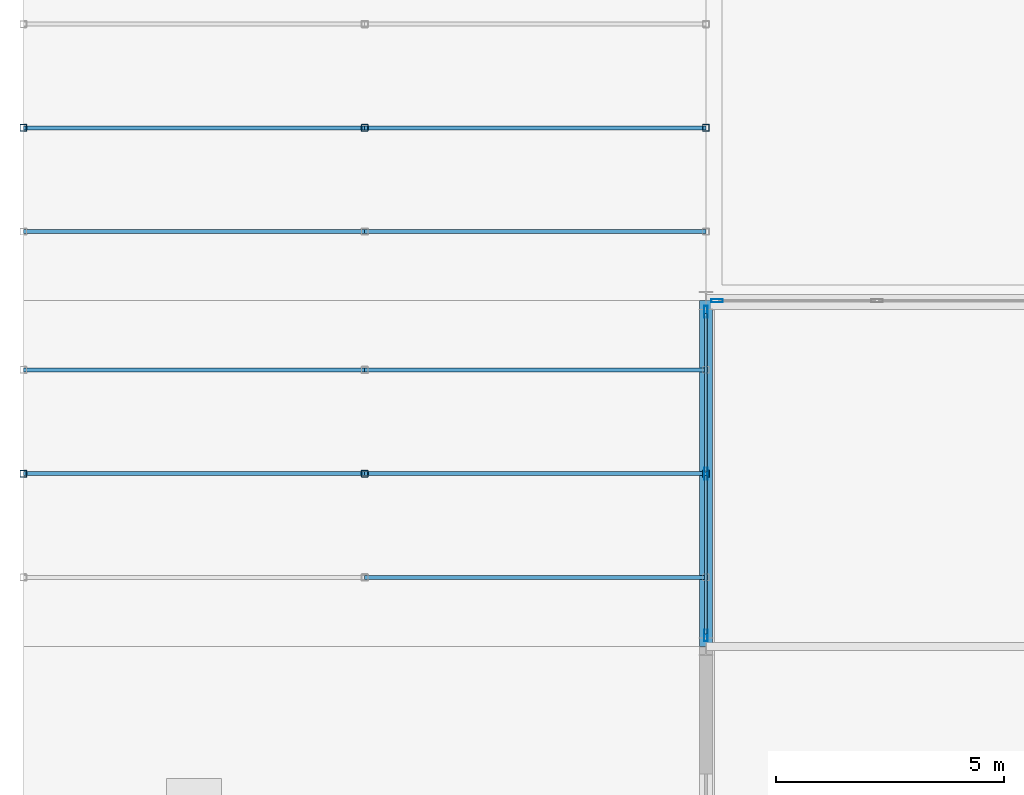
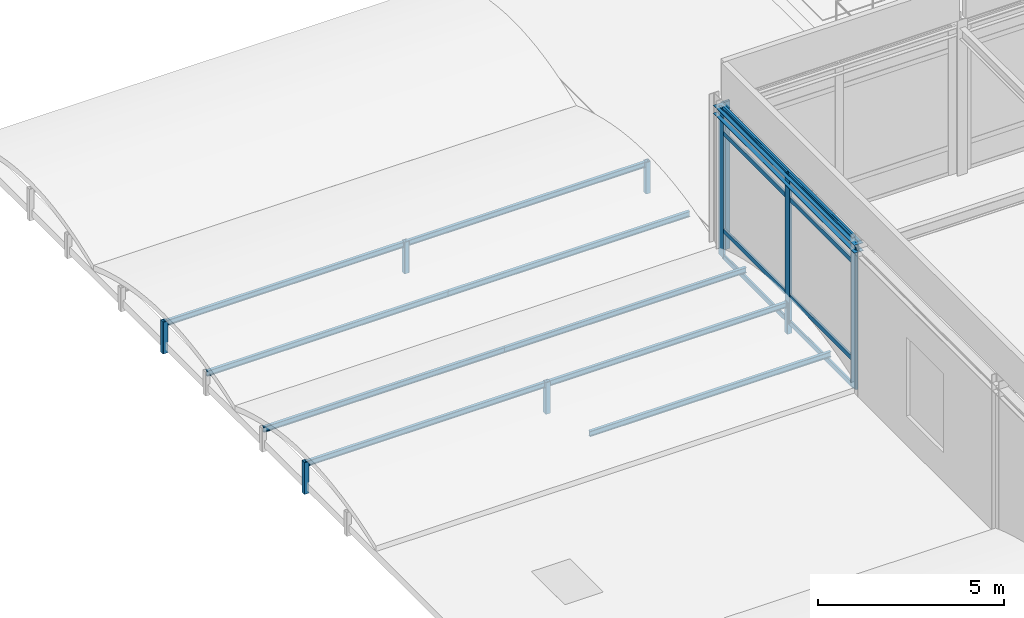
# One storey, part 36 of 79: 27 members, 1 beam, 2 elements without a shape of their own.
"""IFC4 building model written with IfcOpenShell, lengths in metres."""

from ifc_helpers import new_model, si_unit, direction, frame, origin, origin_2d, place, context, subcontext, project, spatial, hollow_rectangle, i_section, extrude, material, layer, layer_set, material_profile, profile_set, type_object, element, aggregate, save


model = new_model("IFC4")

# Units and contexts
model_context = context("Model", 3, precision=1e-05, world=origin(), true_north=direction((0.0, 1.0)))
body_context = subcontext(model_context, "Body", "Model", "MODEL_VIEW")
ifc_project = project(units=[si_unit("LENGTHUNIT", "METRE"), si_unit("AREAUNIT", "SQUARE_METRE"), si_unit("VOLUMEUNIT", "CUBIC_METRE"), si_unit("PLANEANGLEUNIT", "RADIAN"), si_unit("MASSUNIT", "GRAM", prefix="KILO")], contexts=[model_context])

# Site, building, storey
site_placement = place(None, origin())
site = spatial("IfcSite", under=ifc_project, at=site_placement, CompositionType="ELEMENT")
building_placement = place(site_placement, origin())
building = spatial("IfcBuilding", under=site, at=building_placement, Name="Shalkamar Park Central Library", CompositionType="ELEMENT")
storey_placement = place(building_placement, frame((0.0, 0.0, 10.5)))
storey = spatial("IfcBuildingStorey", under=building, at=storey_placement, Name="L03", CompositionType="ELEMENT", Elevation=10.5)

# Curtain wall, member
ifc_material_1 = material(Name="Thermally broken aluminium and triple low-e curtain wall", Category="aluminium")
ifc_layer_1 = layer(ifc_material_1, 0.260009765625)
ifc_layer_set_1 = layer_set([ifc_layer_1], Name="UnitisedCurtainWall_23")
curtain_wall_type_1 = type_object("IfcCurtainWallType", Name="Unitised Curtain Wall 23", PredefinedType="USERDEFINED", material=ifc_layer_set_1)
curtain_wall_1_placement = place(storey_placement, origin())
curtain_wall_1 = element("IfcCurtainWall", 1, at=curtain_wall_1_placement, inside=storey, type_object=curtain_wall_type_1, Name="Unitised Curtain Wall CW-L03-047", ObjectType="UNITISED CURTAIN WALL", PredefinedType="USERDEFINED")
ifc_material_2 = material(Name="Aluminium 6060-T66", Category="aluminium")
ifc_material_profile_1 = material_profile(ifc_material_2, hollow_rectangle(XDim=0.074951171875, YDim=0.260009765625, WallThickness=0.00439453125, InnerFilletRadius=0.00439453125, OuterFilletRadius=0.0068359375, at=origin_2d()), Name="ALU 75x260x4.5")
ifc_profile_set_1 = profile_set([ifc_material_profile_1], Name="Aluminium 6060-T66")
member_type_1 = type_object("IfcMemberType", Name="Curtain Wall Mullion ALU75x260", PredefinedType="MULLION", material=ifc_profile_set_1)
member_1_placement = place(storey_placement, frame((150.241455078125, 323.60009765625, 0.0), z_axis=(0.0, 0.0, 1.0), x_axis=(0.0, 1.0, 0.0)))
member_1 = element("IfcMember", 2, at=member_1_placement, type_object=member_type_1, Name="CW-23 mullion 1", PredefinedType="MULLION", context=body_context, shape_type="SweptSolid", body=[
    extrude(hollow_rectangle(XDim=0.074951171875, YDim=0.260009765625, WallThickness=0.00439453125, InnerFilletRadius=0.00439453125, OuterFilletRadius=0.0068359375, at=origin_2d()), origin(), (0.0, 0.0, 1.0), 4.85009765625),
])
aggregate(curtain_wall_1, [member_1])

# Curtain wall, members
ifc_layer_2 = layer(ifc_material_1, 0.260009765625)
ifc_layer_set_2 = layer_set([ifc_layer_2], Name="UnitisedCurtainWall_51")
curtain_wall_type_2 = type_object("IfcCurtainWallType", Name="Unitised Curtain Wall 51", PredefinedType="USERDEFINED", material=ifc_layer_set_2)
curtain_wall_2_placement = place(storey_placement, origin())
curtain_wall_2 = element("IfcCurtainWall", 3, at=curtain_wall_2_placement, inside=storey, type_object=curtain_wall_type_2, Name="Unitised Curtain Wall CW-L03-062", ObjectType="UNITISED CURTAIN WALL", PredefinedType="USERDEFINED")
member_2_placement = place(storey_placement, frame((150.0, 316.241455078125, 0.0), z_axis=(0.0, 0.0, 1.0), x_axis=(-1.0, 0.0, 0.0)))
member_2 = element("IfcMember", 4, at=member_2_placement, type_object=member_type_1, Name="CW-51 mullion 1", PredefinedType="MULLION", context=body_context, shape_type="SweptSolid", body=[
    extrude(hollow_rectangle(XDim=0.074951171875, YDim=0.260009765625, WallThickness=0.00439453125, InnerFilletRadius=0.00439453125, OuterFilletRadius=0.0068359375, at=origin_2d()), origin(), (0.0, 0.0, 1.0), 4.85009765625),
])
member_3_placement = place(storey_placement, frame((150.0, 319.800048828125, 0.0), z_axis=(0.0, 0.0, 1.0), x_axis=(-1.0, 0.0, 0.0)))
member_3 = element("IfcMember", 5, at=member_3_placement, type_object=member_type_1, Name="CW-51 mullion 2", PredefinedType="MULLION", context=body_context, shape_type="SweptSolid", body=[
    extrude(hollow_rectangle(XDim=0.074951171875, YDim=0.260009765625, WallThickness=0.00439453125, InnerFilletRadius=0.00439453125, OuterFilletRadius=0.0068359375, at=origin_2d()), origin(), (0.0, 0.0, 1.0), 4.85009765625),
])
member_4_placement = place(storey_placement, frame((150.0, 323.3583984375, 0.0), z_axis=(0.0, 0.0, 1.0), x_axis=(-1.0, 0.0, 0.0)))
member_4 = element("IfcMember", 6, at=member_4_placement, type_object=member_type_1, Name="CW-51 mullion 3", PredefinedType="MULLION", context=body_context, shape_type="SweptSolid", body=[
    extrude(hollow_rectangle(XDim=0.074951171875, YDim=0.260009765625, WallThickness=0.00439453125, InnerFilletRadius=0.00439453125, OuterFilletRadius=0.0068359375, at=origin_2d()), origin(), (0.0, 0.0, 1.0), 4.85009765625),
])
ifc_material_profile_2 = material_profile(ifc_material_2, hollow_rectangle(XDim=0.06005859375, YDim=0.1650390625, WallThickness=0.00390625, InnerFilletRadius=0.00390625, OuterFilletRadius=0.006103515625, at=origin_2d()), Name="ALU 60x165x4")
ifc_profile_set_2 = profile_set([ifc_material_profile_2], Name="Aluminium 6060-T66")
member_type_2 = type_object("IfcMemberType", Name="Curtain Wall Transom ALU60x165", PredefinedType="USERDEFINED", material=ifc_profile_set_2)
member_5_placement = place(storey_placement, frame((150.0, 316.279052734375, 0.030029296875), z_axis=(0.0, 1.0, 0.0), x_axis=(-1.0, 0.0, 0.0)))
member_5 = element("IfcMember", 7, at=member_5_placement, type_object=member_type_2, Name="CW-51 transom 1.1", ObjectType="TRANSOM", PredefinedType="USERDEFINED", context=body_context, shape_type="SweptSolid", body=[
    extrude(hollow_rectangle(XDim=0.06005859375, YDim=0.1650390625, WallThickness=0.00390625, InnerFilletRadius=0.00390625, OuterFilletRadius=0.006103515625, at=origin_2d()), origin(), (0.0, 0.0, 1.0), 3.4833984375),
])
member_6_placement = place(storey_placement, frame((150.0, 316.279052734375, 0.89990234375), z_axis=(0.0, 1.0, 0.0), x_axis=(-1.0, 0.0, 0.0)))
member_6 = element("IfcMember", 8, at=member_6_placement, type_object=member_type_2, Name="CW-51 transom 1.2", ObjectType="TRANSOM", PredefinedType="USERDEFINED", context=body_context, shape_type="SweptSolid", body=[
    extrude(hollow_rectangle(XDim=0.06005859375, YDim=0.1650390625, WallThickness=0.00390625, InnerFilletRadius=0.00390625, OuterFilletRadius=0.006103515625, at=origin_2d()), origin(), (0.0, 0.0, 1.0), 3.4833984375),
])
member_7_placement = place(storey_placement, frame((150.0, 316.279052734375, 4.10009765625), z_axis=(0.0, 1.0, 0.0), x_axis=(-1.0, 0.0, 0.0)))
member_7 = element("IfcMember", 9, at=member_7_placement, type_object=member_type_2, Name="CW-51 transom 1.3", ObjectType="TRANSOM", PredefinedType="USERDEFINED", context=body_context, shape_type="SweptSolid", body=[
    extrude(hollow_rectangle(XDim=0.06005859375, YDim=0.1650390625, WallThickness=0.00390625, InnerFilletRadius=0.00390625, OuterFilletRadius=0.006103515625, at=origin_2d()), origin(), (0.0, 0.0, 1.0), 3.4833984375),
])
member_8_placement = place(storey_placement, frame((150.0, 316.279052734375, 4.820068359375), z_axis=(0.0, 1.0, 0.0), x_axis=(-1.0, 0.0, 0.0)))
member_8 = element("IfcMember", 10, at=member_8_placement, type_object=member_type_2, Name="CW-51 transom 1.4", ObjectType="TRANSOM", PredefinedType="USERDEFINED", context=body_context, shape_type="SweptSolid", body=[
    extrude(hollow_rectangle(XDim=0.06005859375, YDim=0.1650390625, WallThickness=0.00390625, InnerFilletRadius=0.00390625, OuterFilletRadius=0.006103515625, at=origin_2d()), origin(), (0.0, 0.0, 1.0), 3.4833984375),
])
member_9_placement = place(storey_placement, frame((150.0, 319.83740234375, 0.030029296875), z_axis=(0.0, 1.0, 0.0), x_axis=(-1.0, 0.0, 0.0)))
member_9 = element("IfcMember", 11, at=member_9_placement, type_object=member_type_2, Name="CW-51 transom 2.1", ObjectType="TRANSOM", PredefinedType="USERDEFINED", context=body_context, shape_type="SweptSolid", body=[
    extrude(hollow_rectangle(XDim=0.06005859375, YDim=0.1650390625, WallThickness=0.00390625, InnerFilletRadius=0.00390625, OuterFilletRadius=0.006103515625, at=origin_2d()), origin(), (0.0, 0.0, 1.0), 3.483642578125),
])
member_10_placement = place(storey_placement, frame((150.0, 319.83740234375, 0.89990234375), z_axis=(0.0, 1.0, 0.0), x_axis=(-1.0, 0.0, 0.0)))
member_10 = element("IfcMember", 12, at=member_10_placement, type_object=member_type_2, Name="CW-51 transom 2.2", ObjectType="TRANSOM", PredefinedType="USERDEFINED", context=body_context, shape_type="SweptSolid", body=[
    extrude(hollow_rectangle(XDim=0.06005859375, YDim=0.1650390625, WallThickness=0.00390625, InnerFilletRadius=0.00390625, OuterFilletRadius=0.006103515625, at=origin_2d()), origin(), (0.0, 0.0, 1.0), 3.483642578125),
])
member_11_placement = place(storey_placement, frame((150.0, 319.83740234375, 4.10009765625), z_axis=(0.0, 1.0, 0.0), x_axis=(-1.0, 0.0, 0.0)))
member_11 = element("IfcMember", 13, at=member_11_placement, type_object=member_type_2, Name="CW-51 transom 2.3", ObjectType="TRANSOM", PredefinedType="USERDEFINED", context=body_context, shape_type="SweptSolid", body=[
    extrude(hollow_rectangle(XDim=0.06005859375, YDim=0.1650390625, WallThickness=0.00390625, InnerFilletRadius=0.00390625, OuterFilletRadius=0.006103515625, at=origin_2d()), origin(), (0.0, 0.0, 1.0), 3.483642578125),
])
member_12_placement = place(storey_placement, frame((150.0, 319.83740234375, 4.820068359375), z_axis=(0.0, 1.0, 0.0), x_axis=(-1.0, 0.0, 0.0)))
member_12 = element("IfcMember", 14, at=member_12_placement, type_object=member_type_2, Name="CW-51 transom 2.4", ObjectType="TRANSOM", PredefinedType="USERDEFINED", context=body_context, shape_type="SweptSolid", body=[
    extrude(hollow_rectangle(XDim=0.06005859375, YDim=0.1650390625, WallThickness=0.00390625, InnerFilletRadius=0.00390625, OuterFilletRadius=0.006103515625, at=origin_2d()), origin(), (0.0, 0.0, 1.0), 3.483642578125),
])
aggregate(curtain_wall_2, [member_2, member_3, member_4, member_5, member_6, member_7, member_8, member_9, member_10, member_11, member_12])

# Members
ifc_material_3 = material(Name="Steel S355", Category="steel")
ifc_material_profile_3 = material_profile(ifc_material_3, hollow_rectangle(XDim=0.14990234375, YDim=0.14990234375, WallThickness=0.008056640625, InnerFilletRadius=0.008056640625, OuterFilletRadius=0.011962890625, at=origin_2d()), Name="SHS 150x150x8")
ifc_profile_set_3 = profile_set([ifc_material_profile_3], Name="Steel S355")
member_type_3 = type_object("IfcMemberType", Name="Diagonal Brace SHS150", PredefinedType="BRACE", material=ifc_profile_set_3)
for number, where, z_axis, x_axis, name in (
    (15, (135.0, 319.800048828125, -0.360107421875), (0.0, 0.0, 1.0), (1.0, 0.0, 0.0), "Vault Arch Post BV-L02-W8-03.2"),
    (16, (142.5, 319.800048828125, -0.360107421875), (0.0, 0.0, 1.0), (1.0, 0.0, 0.0), "Vault Arch Post BV-L02-W8-04.2"),
    (17, (150.0, 319.800048828125, -0.360107421875), (0.0, 0.0, 1.0), (1.0, 0.0, 0.0), "Vault Arch Post BV-L02-W8-05.2"),
    (18, (135.0, 327.39990234375, -0.360107421875), (0.0, 0.0, 1.0), (1.0, 0.0, 0.0), "Vault Arch Post BV-L02-W9-03.2"),
    (19, (142.5, 327.39990234375, -0.360107421875), (0.0, 0.0, 1.0), (1.0, 0.0, 0.0), "Vault Arch Post BV-L02-W9-04.2"),
    (20, (150.0, 327.39990234375, -0.360107421875), (0.0, 0.0, 1.0), (1.0, 0.0, 0.0), "Vault Arch Post BV-L02-W9-05.2"),
):
    element("IfcMember", number, at=place(storey_placement, frame(where, z_axis=z_axis, x_axis=x_axis)), inside=storey, type_object=member_type_3, Name=name, PredefinedType="BRACE", context=body_context, shape_type="SweptSolid", body=[
        extrude(hollow_rectangle(XDim=0.14990234375, YDim=0.14990234375, WallThickness=0.008056640625, InnerFilletRadius=0.008056640625, OuterFilletRadius=0.011962890625, at=origin_2d()), origin(), (0.0, 0.0, 1.0), 1.0400390625),
    ])

# Beam
ifc_material_profile_4 = material_profile(ifc_material_3, i_section(OverallWidth=0.280029296875, OverallDepth=0.27001953125, WebThickness=0.008056640625, FlangeThickness=0.012939453125, FilletRadius=0.02392578125, at=origin_2d()), Name="HEA 280")
ifc_profile_set_4 = profile_set([ifc_material_profile_4], Name="Steel S355")
beam_type = type_object("IfcBeamType", Name="Perimeter Spandrel Beam HEA280", PredefinedType="SPANDREL", material=ifc_profile_set_4)
beam_placement = place(storey_placement, frame((150.0, 316.0, 4.715087890625), z_axis=(0.0, 1.0, 0.0), x_axis=(-1.0, 0.0, 0.0)))
element("IfcBeam", 21, at=beam_placement, inside=storey, type_object=beam_type, Name="Beam 05:L-M (L03)", PredefinedType="SPANDREL", context=body_context, shape_type="SweptSolid", body=[
    extrude(i_section(OverallWidth=0.280029296875, OverallDepth=0.27001953125, WebThickness=0.008056640625, FlangeThickness=0.012939453125, FilletRadius=0.02392578125, at=origin_2d()), origin(), (0.0, 0.0, 1.0), 7.60009765625),
])

# Members
ifc_material_profile_5 = material_profile(ifc_material_3, i_section(OverallWidth=0.091064453125, OverallDepth=0.179931640625, WebThickness=0.00537109375, FlangeThickness=0.008056640625, FilletRadius=0.009033203125, at=origin_2d()), Name="IPE 180")
ifc_profile_set_5 = profile_set([ifc_material_profile_5], Name="Steel S355")
member_type_4 = type_object("IfcMemberType", Name="Roof Purlin IPE180", PredefinedType="PURLIN", material=ifc_profile_set_5)
for number, where, z_axis, x_axis, name in (
    (22, (142.5, 317.52001953125, 0.330810546875), (1.0, 0.0, 0.0), (0.0, 1.0, 0.0), "Barrel Roof Purlin BV-L02-W8-1.04"),
    (23, (135.0, 319.800048828125, 0.590087890625), (1.0, 0.0, 0.0), (0.0, 1.0, 0.0), "Barrel Roof Purlin BV-L02-W8-2.03"),
    (24, (142.5, 319.800048828125, 0.590087890625), (1.0, 0.0, 0.0), (0.0, 1.0, 0.0), "Barrel Roof Purlin BV-L02-W8-2.04"),
    (25, (135.0, 322.080078125, 0.330810546875), (1.0, 0.0, 0.0), (0.0, 1.0, 0.0), "Barrel Roof Purlin BV-L02-W8-3.03"),
    (26, (142.5, 322.080078125, 0.330810546875), (1.0, 0.0, 0.0), (0.0, 1.0, 0.0), "Barrel Roof Purlin BV-L02-W8-3.04"),
    (27, (135.0, 325.1201171875, 0.330810546875), (1.0, 0.0, 0.0), (0.0, 1.0, 0.0), "Barrel Roof Purlin BV-L02-W9-1.03"),
    (28, (142.5, 325.1201171875, 0.330810546875), (1.0, 0.0, 0.0), (0.0, 1.0, 0.0), "Barrel Roof Purlin BV-L02-W9-1.04"),
    (29, (135.0, 327.39990234375, 0.590087890625), (1.0, 0.0, 0.0), (0.0, 1.0, 0.0), "Barrel Roof Purlin BV-L02-W9-2.03"),
    (30, (142.5, 327.39990234375, 0.590087890625), (1.0, 0.0, 0.0), (0.0, 1.0, 0.0), "Barrel Roof Purlin BV-L02-W9-2.04"),
):
    element("IfcMember", number, at=place(storey_placement, frame(where, z_axis=z_axis, x_axis=x_axis)), inside=storey, type_object=member_type_4, Name=name, PredefinedType="PURLIN", context=body_context, shape_type="SweptSolid", body=[
        extrude(i_section(OverallWidth=0.091064453125, OverallDepth=0.179931640625, WebThickness=0.00537109375, FlangeThickness=0.008056640625, FilletRadius=0.009033203125, at=origin_2d()), origin(), (0.0, 0.0, 1.0), 7.5),
    ])

save(model, "model.ifc")
